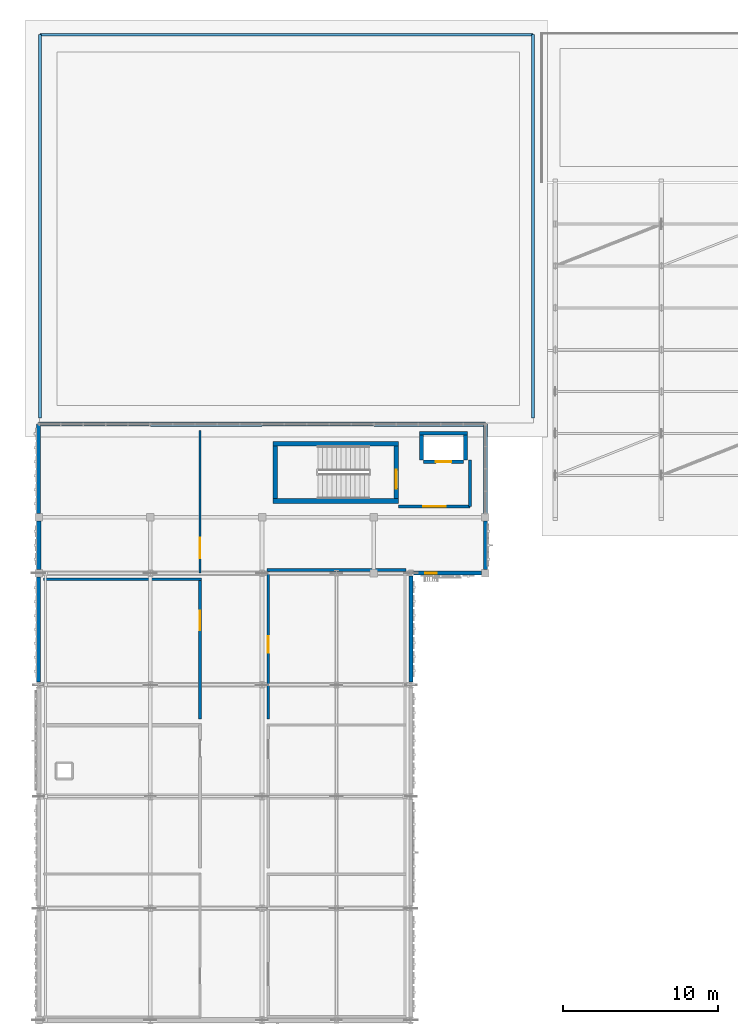
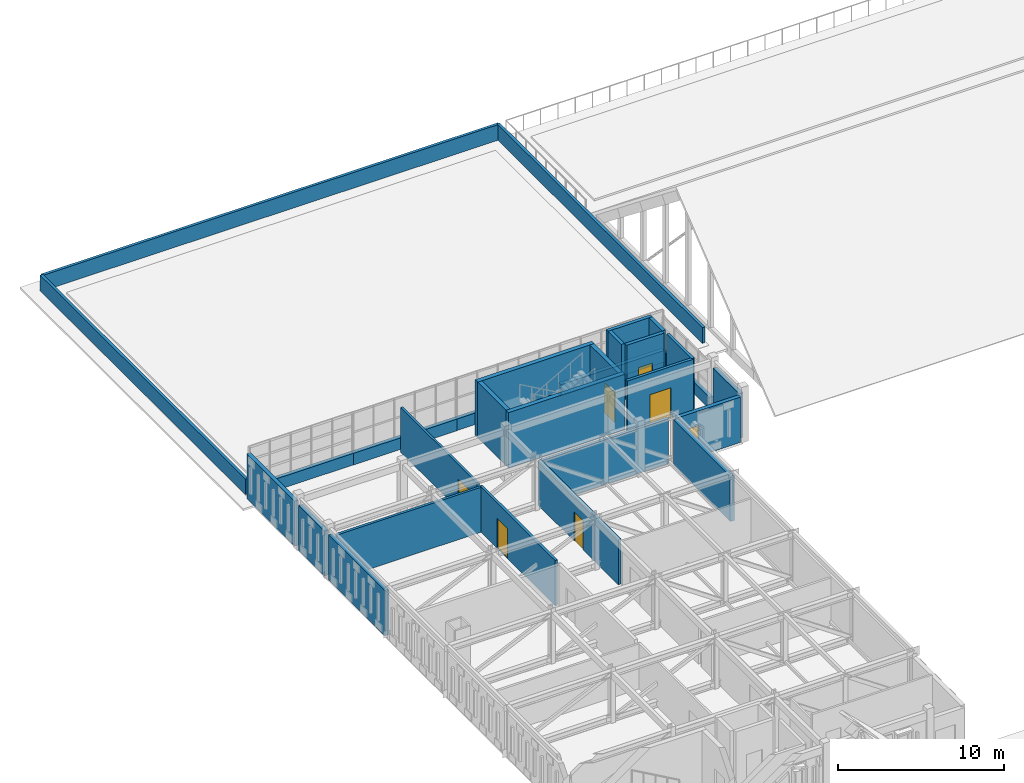
# One storey, part 49 of 79: 29 walls, 6 doors, 1 window, 7 openings.
"""IFC4 building model written with IfcOpenShell, lengths in metres."""

from ifc_helpers import new_model, si_unit, direction, frame, frame_2d, origin, place, context, subcontext, project, spatial, rectangle, extrude, material, layer, layer_set, type_object, element, fill, save


model = new_model("IFC4")

# Units and contexts
model_context = context("Model", 3, precision=1e-05, world=origin(), true_north=direction((0.0, 1.0)))
body_context = subcontext(model_context, "Body", "Model", "MODEL_VIEW")
ifc_project = project(units=[si_unit("LENGTHUNIT", "METRE"), si_unit("AREAUNIT", "SQUARE_METRE"), si_unit("VOLUMEUNIT", "CUBIC_METRE"), si_unit("PLANEANGLEUNIT", "RADIAN"), si_unit("MASSUNIT", "GRAM", prefix="KILO")], contexts=[model_context])

# Site, building, storey
site_placement = place(None, origin())
site = spatial("IfcSite", under=ifc_project, at=site_placement, CompositionType="ELEMENT")
building_placement = place(site_placement, origin())
building = spatial("IfcBuilding", under=site, at=building_placement, Name="Nzembalo Square Collegiate School", CompositionType="ELEMENT")
storey_placement = place(building_placement, frame((0.0, 0.0, 9.52001953125)))
storey = spatial("IfcBuildingStorey", under=building, at=storey_placement, Name="L02", CompositionType="ELEMENT", Elevation=9.52001953125)

# Walls
ifc_material_1 = material(Name="Concrete C40/50", Category="concrete")
ifc_layer_1 = layer(ifc_material_1, 0.300048828125, Name="Concrete C40/50")
ifc_layer_set_1 = layer_set([ifc_layer_1], Name="Concrete C40/50")
wall_type_1 = type_object("IfcWallType", Name="SW02", PredefinedType="SHEAR", material=ifc_layer_set_1)
wall_1_placement = place(storey_placement, frame((23.64990234375, 84.0, 0.0), z_axis=(0.0, 0.0, 1.0), x_axis=(0.0, 1.0, 0.0)))
element("IfcWall", 1, at=wall_1_placement, inside=storey, type_object=wall_type_1, Name="Core C2 stair shear wall W L02", PredefinedType="SHEAR", context=body_context, shape_type="SweptSolid", body=[
    extrude(rectangle(XDim=3.39990234375, YDim=0.300048828125, at=frame_2d((1.699951171875, 0.0))), origin(), (0.0, 0.0, 1.0), 4.080078125),
])
for number, where, z_axis, x_axis, name in (
    (2, (23.5, 83.85009765625, 0.0), (0.0, 0.0, 1.0), (1.0, 0.0, 0.0), "Core C2 stair shear wall S L02"),
    (3, (23.5, 87.550048828125, 0.0), (0.0, 0.0, 1.0), (1.0, 0.0, 0.0), "Core C2 stair shear wall N L02"),
):
    element("IfcWall", number, at=place(storey_placement, frame(where, z_axis=z_axis, x_axis=x_axis)), inside=storey, type_object=wall_type_1, Name=name, PredefinedType="SHEAR", context=body_context, shape_type="SweptSolid", body=[
        extrude(rectangle(XDim=8.10009765625, YDim=0.300048828125, at=frame_2d((4.050048828125, 0.0))), origin(), (0.0, 0.0, 1.0), 4.080078125),
    ])

# Wall, opening, door
wall_2_placement = place(storey_placement, frame((31.449951171875, 84.0, 0.0), z_axis=(0.0, 0.0, 1.0), x_axis=(0.0, 1.0, 0.0)))
wall_2 = element("IfcWall", 4, at=wall_2_placement, inside=storey, type_object=wall_type_1, Name="Core C2 stair shear wall E L02", PredefinedType="SHEAR", context=body_context, shape_type="SweptSolid", body=[
    extrude(rectangle(XDim=3.39990234375, YDim=0.300048828125, at=frame_2d((1.699951171875, 0.0))), origin(), (0.0, 0.0, 1.0), 4.080078125),
])
opening_1_placement = place(wall_2_placement, frame((0.64990234375, 0.0, 0.0)))
opening_1 = element("IfcOpeningElement", 5, at=opening_1_placement, cuts=wall_2, Name="Opening FD-017", PredefinedType="OPENING", context=body_context, shape_type="SweptSolid", body=[
    extrude(rectangle(XDim=1.199951171875, YDim=2.199951171875, at=frame_2d((0.60009765625, 1.10009765625))), frame((0.0, 0.16015625, 0.0), z_axis=(0.0, -1.0, 0.0), x_axis=(1.0, 0.0, 0.0)), (0.0, 0.0, 1.0), 0.320068359375),
])
ifc_material_2 = material(Name="Fire-rated steel acoustic door", Category="steel")
door_type_1 = type_object("IfcDoorType", Name="FD01", OperationType="NOTDEFINED", PredefinedType="DOOR", material=ifc_material_2)
door_1_placement = place(opening_1_placement, origin())
door_1 = element("IfcDoor", 6, at=door_1_placement, inside=storey, type_object=door_type_1, Name="Stair fire door FD-017", OperationType="SINGLE_SWING_LEFT", OverallHeight=2.199951171875, OverallWidth=1.199951171875, PredefinedType="DOOR", context=body_context, shape_type="SweptSolid", body=[
    extrude(rectangle(XDim=1.199951171875, YDim=2.199951171875, at=frame_2d((0.60009765625, 1.10009765625))), frame((0.0, 0.02490234375, 0.0), z_axis=(0.0, -1.0, 0.0), x_axis=(1.0, 0.0, 0.0)), (0.0, 0.0, 1.0), 0.050048828125),
])
fill(opening_1, door_1)

# Walls
ifc_material_3 = material(Name="Concrete C35/45", Category="concrete")
ifc_layer_2 = layer(ifc_material_3, 0.239990234375, Name="Concrete C35/45")
ifc_layer_set_2 = layer_set([ifc_layer_2], Name="Concrete C35/45")
wall_type_2 = type_object("IfcWallType", Name="SW06", PredefinedType="SHEAR", material=ifc_layer_set_2)
for number, where, z_axis, x_axis, name in (
    (7, (33.080078125, 86.5, 0.0), (0.0, 0.0, 1.0), (0.0, 1.0, 0.0), "Lift LF2 shaft wall W L02"),
    (8, (35.919921875, 86.5, 0.0), (0.0, 0.0, 1.0), (0.0, 1.0, 0.0), "Lift LF2 shaft wall E L02"),
):
    element("IfcWall", number, at=place(storey_placement, frame(where, z_axis=z_axis, x_axis=x_axis)), inside=storey, type_object=wall_type_2, Name=name, PredefinedType="SHEAR", context=body_context, shape_type="SweptSolid", body=[
        extrude(rectangle(XDim=1.60009765625, YDim=0.239990234375, at=frame_2d((0.800048828125, 0.0))), origin(), (0.0, 0.0, 1.0), 4.080078125),
    ])
wall_3_placement = place(storey_placement, frame((32.9599609375, 88.219970703125, 0.0), z_axis=(0.0, 0.0, 1.0), x_axis=(1.0, 0.0, 0.0)))
element("IfcWall", 9, at=wall_3_placement, inside=storey, type_object=wall_type_2, Name="Lift LF2 shaft wall N L02", PredefinedType="SHEAR", context=body_context, shape_type="SweptSolid", body=[
    extrude(rectangle(XDim=3.080078125, YDim=0.239990234375, at=frame_2d((1.5400390625, 0.0))), origin(), (0.0, 0.0, 1.0), 4.080078125),
])

# Wall, opening, door
wall_4_placement = place(storey_placement, frame((33.199951171875, 86.3798828125, 0.0), z_axis=(0.0, 0.0, 1.0), x_axis=(1.0, 0.0, 0.0)))
wall_4 = element("IfcWall", 10, at=wall_4_placement, inside=storey, type_object=wall_type_2, Name="Lift LF2 landing front wall L02", PredefinedType="SHEAR", context=body_context, shape_type="SweptSolid", body=[
    extrude(rectangle(XDim=2.60009765625, YDim=0.239990234375, at=frame_2d((1.300048828125, 0.0))), origin(), (0.0, 0.0, 1.0), 4.080078125),
])
opening_2_placement = place(wall_4_placement, frame((0.800048828125, 0.0, 0.0)))
opening_2 = element("IfcOpeningElement", 11, at=opening_2_placement, cuts=wall_4, Name="Opening LD-LF2-L02", PredefinedType="OPENING", context=body_context, shape_type="SweptSolid", body=[
    extrude(rectangle(XDim=1.0, YDim=2.14990234375, at=frame_2d((0.5, 1.074951171875))), frame((0.0, 0.1298828125, 0.0), z_axis=(0.0, -1.0, 0.0), x_axis=(1.0, 0.0, 0.0)), (0.0, 0.0, 1.0), 0.260009765625),
])
ifc_material_4 = material(Name="Stainless-steel sliding landing door", Category="steel")
door_type_2 = type_object("IfcDoorType", Name="LD02", OperationType="DOUBLE_DOOR_SLIDING", PredefinedType="DOOR", material=ifc_material_4)
door_2_placement = place(opening_2_placement, origin())
door_2 = element("IfcDoor", 12, at=door_2_placement, inside=storey, type_object=door_type_2, Name="Sliding lift landing door LD-LF2-L02", OperationType="DOUBLE_DOOR_SLIDING", OverallHeight=2.14990234375, OverallWidth=1.0, PredefinedType="DOOR", context=body_context, shape_type="SweptSolid", body=[
    extrude(rectangle(XDim=1.0, YDim=2.14990234375, at=frame_2d((0.5, 1.074951171875))), frame((0.0, 0.02490234375, 0.0), z_axis=(0.0, -1.0, 0.0), x_axis=(1.0, 0.0, 0.0)), (0.0, 0.0, 1.0), 0.050048828125),
])
fill(opening_2, door_2)

# Walls
ifc_material_5 = material(Name="Concrete C30/37", Category="concrete")
ifc_layer_3 = layer(ifc_material_5, 0.284912109375, Name="Concrete C30/37")
ifc_layer_set_3 = layer_set([ifc_layer_3], Name="Concrete C30/37")
wall_type_3 = type_object("IfcWallType", Name="W05", PredefinedType="SOLIDWALL", material=ifc_layer_set_3)
wall_5_placement = place(storey_placement, frame((8.39990234375, 79.44189453125, 0.0), z_axis=(0.0, 0.0, 1.0), x_axis=(0.0, 1.0, 0.0)))
element("IfcWall", 13, at=wall_5_placement, inside=storey, type_object=wall_type_3, Name="Exterior wall W05 L02", PredefinedType="SOLIDWALL", context=body_context, shape_type="SweptSolid", body=[
    extrude(rectangle(XDim=3.1162109375, YDim=0.284912109375, at=frame_2d((1.55810546875, 0.0))), origin(), (0.0, 0.0, 1.0), 3.299072265625),
])
for number, where, z_axis, x_axis, name in (
    (14, (15.60009765625, 88.800048828125, 0.0), (0.0, 0.0, 1.0), (1.0, 0.0, 0.0), "Spandrel wall W05 L02"),
    (15, (30.0, 88.800048828125, 0.0), (0.0, 0.0, 1.0), (1.0, 0.0, 0.0), "Spandrel wall W05 L02"),
):
    element("IfcWall", number, at=place(storey_placement, frame(where, z_axis=z_axis, x_axis=x_axis)), inside=storey, type_object=wall_type_3, Name=name, PredefinedType="SOLIDWALL", context=body_context, shape_type="SweptSolid", body=[
        extrude(rectangle(XDim=7.199951171875, YDim=0.284912109375, at=frame_2d((3.60009765625, 0.0))), origin(), (0.0, 0.0, 1.0), 0.85009765625),
    ])
wall_6_placement = place(storey_placement, frame((37.199951171875, 79.44189453125, 0.0), z_axis=(0.0, 0.0, 1.0), x_axis=(0.0, 1.0, 0.0)))
element("IfcWall", 16, at=wall_6_placement, inside=storey, type_object=wall_type_3, Name="Exterior wall W05 L02", PredefinedType="SOLIDWALL", context=body_context, shape_type="SweptSolid", body=[
    extrude(rectangle(XDim=3.1162109375, YDim=0.284912109375, at=frame_2d((1.55810546875, 0.0))), origin(), (0.0, 0.0, 1.0), 3.299072265625),
])
wall_7_placement = place(storey_placement, frame((32.39990234375, 72.177001953125, 0.0), z_axis=(0.0, 0.0, 1.0), x_axis=(0.0, 1.0, 0.0)))
element("IfcWall", 17, at=wall_7_placement, inside=storey, type_object=wall_type_3, Name="Exterior wall W05 L02", PredefinedType="SOLIDWALL", context=body_context, shape_type="SweptSolid", body=[
    extrude(rectangle(XDim=6.845947265625, YDim=0.284912109375, at=frame_2d((3.4228515625, 0.0))), origin(), (0.0, 0.0, 1.0), 3.3291015625),
])
ifc_material_6 = material(Name="Concrete C30/37", Category="concrete")
ifc_layer_4 = layer(ifc_material_6, 0.264892578125, Name="Concrete C30/37")
ifc_layer_set_4 = layer_set([ifc_layer_4], Name="Concrete C30/37")
wall_type_4 = type_object("IfcWallType", Name="W06", PredefinedType="SOLIDWALL", material=ifc_layer_set_4)
wall_8_placement = place(storey_placement, frame((8.39990234375, 72.177001953125, 0.0), z_axis=(0.0, 0.0, 1.0), x_axis=(0.0, 1.0, 0.0)))
element("IfcWall", 18, at=wall_8_placement, inside=storey, type_object=wall_type_4, Name="Exterior wall W06 L02", PredefinedType="SOLIDWALL", context=body_context, shape_type="SweptSolid", body=[
    extrude(rectangle(XDim=6.781005859375, YDim=0.264892578125, at=frame_2d((3.390625, 0.0))), origin(), (0.0, 0.0, 1.0), 3.3291015625),
])
wall_9_placement = place(storey_placement, frame((8.39990234375, 83.0419921875, 0.0), z_axis=(0.0, 0.0, 1.0), x_axis=(0.0, 1.0, 0.0)))
element("IfcWall", 19, at=wall_9_placement, inside=storey, type_object=wall_type_4, Name="Exterior wall W06 L02", PredefinedType="SOLIDWALL", context=body_context, shape_type="SweptSolid", body=[
    extrude(rectangle(XDim=5.758056640625, YDim=0.264892578125, at=frame_2d((2.87890625, 0.0))), origin(), (0.0, 0.0, 1.0), 3.299072265625),
])
wall_10_placement = place(storey_placement, frame((8.39990234375, 88.800048828125, 0.0), z_axis=(0.0, 0.0, 1.0), x_axis=(1.0, 0.0, 0.0)))
element("IfcWall", 20, at=wall_10_placement, inside=storey, type_object=wall_type_4, Name="Spandrel wall W06 L02", PredefinedType="SOLIDWALL", context=body_context, shape_type="SweptSolid", body=[
    extrude(rectangle(XDim=7.2001953125, YDim=0.264892578125, at=frame_2d((3.60009765625, 0.0))), origin(), (0.0, 0.0, 1.0), 0.85009765625),
])
wall_11_placement = place(storey_placement, frame((22.800048828125, 88.800048828125, 0.0), z_axis=(0.0, 0.0, 1.0), x_axis=(1.0, 0.0, 0.0)))
element("IfcWall", 21, at=wall_11_placement, inside=storey, type_object=wall_type_4, Name="Spandrel wall W06 L02", PredefinedType="SOLIDWALL", context=body_context, shape_type="SweptSolid", body=[
    extrude(rectangle(XDim=7.199951171875, YDim=0.264892578125, at=frame_2d((3.60009765625, 0.0))), origin(), (0.0, 0.0, 1.0), 0.85009765625),
])
wall_12_placement = place(storey_placement, frame((37.199951171875, 83.0419921875, 0.0), z_axis=(0.0, 0.0, 1.0), x_axis=(0.0, 1.0, 0.0)))
element("IfcWall", 22, at=wall_12_placement, inside=storey, type_object=wall_type_4, Name="Spandrel wall W06 L02", PredefinedType="SOLIDWALL", context=body_context, shape_type="SweptSolid", body=[
    extrude(rectangle(XDim=5.758056640625, YDim=0.264892578125, at=frame_2d((2.87890625, 0.0))), origin(), (0.0, 0.0, 1.0), 0.85009765625),
])

# Wall, opening, window
wall_13_placement = place(storey_placement, frame((32.552001953125, 79.199951171875, 0.0), z_axis=(0.0, 0.0, 1.0), x_axis=(1.0, 0.0, 0.0)))
wall_13 = element("IfcWall", 23, at=wall_13_placement, inside=storey, type_object=wall_type_4, Name="Exterior wall W06 L02", PredefinedType="SOLIDWALL", context=body_context, shape_type="SweptSolid", body=[
    extrude(rectangle(XDim=4.406005859375, YDim=0.264892578125, at=frame_2d((2.203125, 0.0))), origin(), (0.0, 0.0, 1.0), 3.3291015625),
])
opening_3_placement = place(wall_13_placement, frame((0.759033203125, 0.0, 0.75)))
opening_3 = element("IfcOpeningElement", 24, at=opening_3_placement, cuts=wall_13, Name="Opening WN-L02-522", PredefinedType="OPENING", context=body_context, shape_type="SweptSolid", body=[
    extrude(rectangle(XDim=0.75, YDim=1.5, at=frame_2d((0.375, 0.75))), frame((0.0, 0.142578125, 0.0), z_axis=(0.0, -1.0, 0.0), x_axis=(1.0, 0.0, 0.0)), (0.0, 0.0, 1.0), 0.284912109375),
])
ifc_material_7 = material(Name="Powder-coated aluminium and low-E double glazing", Category="aluminium")
window_type = type_object("IfcWindowType", Name="WN05", PartitioningType="SINGLE_PANEL", PredefinedType="WINDOW", material=ifc_material_7)
window_placement = place(opening_3_placement, origin())
window = element("IfcWindow", 25, at=window_placement, inside=storey, type_object=window_type, Name="Lancet window WN-L02-522", OverallHeight=1.5, OverallWidth=0.75, PartitioningType="SINGLE_PANEL", PredefinedType="WINDOW", context=body_context, shape_type="SweptSolid", body=[
    extrude(rectangle(XDim=0.75, YDim=1.5, at=frame_2d((0.375, 0.75))), frame((0.0, 0.030029296875, 0.0), z_axis=(0.0, -1.0, 0.0), x_axis=(1.0, 0.0, 0.0)), (0.0, 0.0, 1.0), 0.06005859375),
])
fill(opening_3, window)

# Wall
ifc_material_8 = material(Name="Concrete blockwork C25/30", Category="masonry")
ifc_layer_5 = layer(ifc_material_8, 0.199951171875, Name="Concrete blockwork C25/30")
ifc_layer_set_5 = layer_set([ifc_layer_5], Name="Concrete blockwork C25/30")
wall_type_5 = type_object("IfcWallType", Name="W11", PredefinedType="PARTITIONING", material=ifc_layer_set_5)
wall_14_placement = place(storey_placement, frame((36.199951171875, 83.5, 0.0), z_axis=(0.0, 0.0, 1.0), x_axis=(0.0, 1.0, 0.0)))
element("IfcWall", 26, at=wall_14_placement, inside=storey, type_object=wall_type_5, Name="Core C2 EI 60 lobby wall E L02", PredefinedType="PARTITIONING", context=body_context, shape_type="SweptSolid", body=[
    extrude(rectangle(XDim=3.0, YDim=0.199951171875, at=frame_2d((1.5, 0.0))), origin(), (0.0, 0.0, 1.0), 3.75390625),
])

# Wall, opening, door
wall_15_placement = place(storey_placement, frame((31.60009765625, 83.5, 0.0), z_axis=(0.0, 0.0, 1.0), x_axis=(1.0, 0.0, 0.0)))
wall_15 = element("IfcWall", 27, at=wall_15_placement, inside=storey, type_object=wall_type_5, Name="Core C2 EI 60 lobby wall S L02", PredefinedType="PARTITIONING", context=body_context, shape_type="SweptSolid", body=[
    extrude(rectangle(XDim=4.599853515625, YDim=0.199951171875, at=frame_2d((2.2998046875, 0.0))), origin(), (0.0, 0.0, 1.0), 3.75390625),
])
opening_4_placement = place(wall_15_placement, frame((1.574951171875, 0.0, 0.0)))
opening_4 = element("IfcOpeningElement", 28, at=opening_4_placement, cuts=wall_15, Name="Opening FD-018", PredefinedType="OPENING", context=body_context, shape_type="SweptSolid", body=[
    extrude(rectangle(XDim=1.449951171875, YDim=2.199951171875, at=frame_2d((0.72509765625, 1.10009765625))), frame((0.0, 0.10986328125, 0.0), z_axis=(0.0, -1.0, 0.0), x_axis=(1.0, 0.0, 0.0)), (0.0, 0.0, 1.0), 0.219970703125),
])
ifc_material_9 = material(Name="Fire-rated double lobby door")
door_type_3 = type_object("IfcDoorType", Name="FD02", OperationType="DOUBLE_DOOR_SINGLE_SWING", PredefinedType="DOOR", material=ifc_material_9)
door_3_placement = place(opening_4_placement, frame((1.449951171875, 0.0, 0.0), z_axis=(0.0, 0.0, 1.0), x_axis=(-1.0, 0.0, 0.0)))
door_3 = element("IfcDoor", 29, at=door_3_placement, inside=storey, type_object=door_type_3, Name="Protected lobby fire door FD-018", OperationType="DOUBLE_DOOR_SINGLE_SWING", OverallHeight=2.199951171875, OverallWidth=1.449951171875, PredefinedType="DOOR", context=body_context, shape_type="SweptSolid", body=[
    extrude(rectangle(XDim=1.449951171875, YDim=2.199951171875, at=frame_2d((0.72509765625, 1.10009765625))), frame((0.0, 0.02490234375, 0.0), z_axis=(0.0, -1.0, 0.0), x_axis=(1.0, 0.0, 0.0)), (0.0, 0.0, 1.0), 0.050048828125),
])
fill(opening_4, door_3)

# Wall
ifc_material_10 = material(Name="Acoustic gypsum and steel stud", Category="steel")
ifc_layer_6 = layer(ifc_material_10, 0.175048828125, Name="Acoustic gypsum and steel stud")
ifc_layer_set_6 = layer_set([ifc_layer_6], Name="Acoustic gypsum and steel stud")
wall_type_6 = type_object("IfcWallType", Name="W14", PredefinedType="PARTITIONING", material=ifc_layer_set_6)
wall_16_placement = place(storey_placement, frame((8.71240234375, 78.800048828125, 0.0), z_axis=(0.0, 0.0, 1.0), x_axis=(1.0, 0.0, 0.0)))
element("IfcWall", 30, at=wall_16_placement, inside=storey, type_object=wall_type_6, Name="Interior partition W14 L02-021-N", PredefinedType="PARTITIONING", context=body_context, shape_type="SweptSolid", body=[
    extrude(rectangle(XDim=10.175048828125, YDim=0.175048828125, at=frame_2d((5.08740234375, 0.0))), origin(), (0.0, 0.0, 1.0), 3.299072265625),
])

# Wall, opening, door
wall_17_placement = place(storey_placement, frame((18.800048828125, 69.800048828125, 0.0), z_axis=(0.0, 0.0, 1.0), x_axis=(0.0, 1.0, 0.0)))
wall_17 = element("IfcWall", 31, at=wall_17_placement, inside=storey, type_object=wall_type_6, Name="Interior partition W14 L02-021-E", PredefinedType="PARTITIONING", context=body_context, shape_type="SweptSolid", body=[
    extrude(rectangle(XDim=9.0, YDim=0.175048828125, at=frame_2d((4.5, 0.0))), origin(), (0.0, 0.0, 1.0), 3.3291015625),
])
opening_5_placement = place(wall_17_placement, frame((5.719970703125, 0.0, 0.0)))
opening_5 = element("IfcOpeningElement", 32, at=opening_5_placement, cuts=wall_17, Name="Opening D-L02-054", PredefinedType="OPENING", context=body_context, shape_type="SweptSolid", body=[
    extrude(rectangle(XDim=1.239990234375, YDim=2.199951171875, at=frame_2d((0.6201171875, 1.10009765625))), frame((0.0, 0.09765625, 0.0), z_axis=(0.0, -1.0, 0.0), x_axis=(1.0, 0.0, 0.0)), (0.0, 0.0, 1.0), 0.195068359375),
])
ifc_material_11 = material(Name="Glazed seminar room door")
door_type_4 = type_object("IfcDoorType", Name="D14", OperationType="NOTDEFINED", PredefinedType="DOOR", material=ifc_material_11)
door_4_placement = place(opening_5_placement, origin())
door_4 = element("IfcDoor", 33, at=door_4_placement, inside=storey, type_object=door_type_4, Name="Interior door D-L02-054 (Junior Mathematics Classroom 2C)", OperationType="SINGLE_SWING_LEFT", OverallHeight=2.199951171875, OverallWidth=1.239990234375, PredefinedType="DOOR", context=body_context, shape_type="SweptSolid", body=[
    extrude(rectangle(XDim=1.239990234375, YDim=2.199951171875, at=frame_2d((0.6201171875, 1.10009765625))), frame((0.0, 0.02490234375, 0.0), z_axis=(0.0, -1.0, 0.0), x_axis=(1.0, 0.0, 0.0)), (0.0, 0.0, 1.0), 0.050048828125),
])
fill(opening_5, door_4)

ifc_material_12 = material(Name="Acoustic double-board stud")
ifc_layer_7 = layer(ifc_material_12, 0.155029296875, Name="Acoustic double-board stud")
ifc_layer_set_7 = layer_set([ifc_layer_7], Name="Acoustic double-board stud")
wall_type_7 = type_object("IfcWallType", Name="W16", PredefinedType="PARTITIONING", material=ifc_layer_set_7)
wall_18_placement = place(storey_placement, frame((18.800048828125, 79.199951171875, 0.0), z_axis=(0.0, 0.0, 1.0), x_axis=(0.0, 1.0, 0.0)))
wall_18 = element("IfcWall", 34, at=wall_18_placement, inside=storey, type_object=wall_type_7, Name="Interior partition W16 L02-022-E", PredefinedType="PARTITIONING", context=body_context, shape_type="SweptSolid", body=[
    extrude(rectangle(XDim=9.199951171875, YDim=0.155029296875, at=frame_2d((4.60009765625, 0.0))), origin(), (0.0, 0.0, 1.0), 3.299072265625),
])
opening_6_placement = place(wall_18_placement, frame((0.947998046875, 0.0, 0.0)))
opening_6 = element("IfcOpeningElement", 35, at=opening_6_placement, cuts=wall_18, Name="Opening D-L02-055", PredefinedType="OPENING", context=body_context, shape_type="SweptSolid", body=[
    extrude(rectangle(XDim=1.320068359375, YDim=2.219970703125, at=frame_2d((0.66015625, 1.10986328125))), frame((0.0, 0.08740234375, 0.0), z_axis=(0.0, -1.0, 0.0), x_axis=(1.0, 0.0, 0.0)), (0.0, 0.0, 1.0), 0.175048828125),
])
ifc_material_13 = material(Name="Double-leaf studio acoustic door")
door_type_5 = type_object("IfcDoorType", Name="D04", OperationType="DOUBLE_DOOR_SINGLE_SWING", PredefinedType="DOOR", material=ifc_material_13)
door_5_placement = place(opening_6_placement, origin())
door_5 = element("IfcDoor", 36, at=door_5_placement, inside=storey, type_object=door_type_5, Name="Interior door D-L02-055 (Junior Language Studio 2D)", OperationType="DOUBLE_DOOR_SINGLE_SWING", OverallHeight=2.219970703125, OverallWidth=1.320068359375, PredefinedType="DOOR", context=body_context, shape_type="SweptSolid", body=[
    extrude(rectangle(XDim=1.320068359375, YDim=2.219970703125, at=frame_2d((0.66015625, 1.10986328125))), frame((0.0, 0.02490234375, 0.0), z_axis=(0.0, -1.0, 0.0), x_axis=(1.0, 0.0, 0.0)), (0.0, 0.0, 1.0), 0.050048828125),
])
fill(opening_6, door_5)

# Wall
ifc_material_14 = material(Name="High-mass acoustic blockwork", Category="masonry")
ifc_layer_8 = layer(ifc_material_14, 0.18505859375, Name="High-mass acoustic blockwork")
ifc_layer_set_8 = layer_set([ifc_layer_8], Name="High-mass acoustic blockwork")
wall_type_8 = type_object("IfcWallType", Name="W22", PredefinedType="PARTITIONING", material=ifc_layer_set_8)
wall_19_placement = place(storey_placement, frame((23.107421875, 79.39990234375, 0.0), z_axis=(0.0, 0.0, 1.0), x_axis=(1.0, 0.0, 0.0)))
element("IfcWall", 37, at=wall_19_placement, inside=storey, type_object=wall_type_8, Name="Interior partition W22 L02-025-N", PredefinedType="PARTITIONING", context=body_context, shape_type="SweptSolid", body=[
    extrude(rectangle(XDim=8.985107421875, YDim=0.18505859375, at=frame_2d((4.49267578125, 0.0))), origin(), (0.0, 0.0, 1.0), 3.299072265625),
])

# Wall, opening, door
wall_20_placement = place(storey_placement, frame((23.199951171875, 69.800048828125, 0.0), z_axis=(0.0, 0.0, 1.0), x_axis=(0.0, 1.0, 0.0)))
wall_20 = element("IfcWall", 38, at=wall_20_placement, inside=storey, type_object=wall_type_8, Name="Interior partition W22 L02-025-W", PredefinedType="PARTITIONING", context=body_context, shape_type="SweptSolid", body=[
    extrude(rectangle(XDim=9.599853515625, YDim=0.18505859375, at=frame_2d((4.7998046875, 0.0))), origin(), (0.0, 0.0, 1.0), 3.3291015625),
])
opening_7_placement = place(wall_20_placement, frame((4.27490234375, 0.0, 0.0)))
opening_7 = element("IfcOpeningElement", 39, at=opening_7_placement, cuts=wall_20, Name="Opening D-L02-058", PredefinedType="OPENING", context=body_context, shape_type="SweptSolid", body=[
    extrude(rectangle(XDim=1.050048828125, YDim=2.14990234375, at=frame_2d((0.52490234375, 1.074951171875))), frame((0.0, 0.1025390625, 0.0), z_axis=(0.0, -1.0, 0.0), x_axis=(1.0, 0.0, 0.0)), (0.0, 0.0, 1.0), 0.205078125),
])
ifc_material_15 = material(Name="Fire-rated steel store door", Category="steel")
door_type_6 = type_object("IfcDoorType", Name="FD03", OperationType="NOTDEFINED", PredefinedType="DOOR", material=ifc_material_15)
door_6_placement = place(opening_7_placement, origin())
door_6 = element("IfcDoor", 40, at=door_6_placement, inside=storey, type_object=door_type_6, Name="Interior door D-L02-058 (Junior Science Discovery Studio 2G)", OperationType="SINGLE_SWING_LEFT", OverallHeight=2.14990234375, OverallWidth=1.050048828125, PredefinedType="DOOR", context=body_context, shape_type="SweptSolid", body=[
    extrude(rectangle(XDim=1.050048828125, YDim=2.14990234375, at=frame_2d((0.52490234375, 1.074951171875))), frame((0.0, 0.02490234375, 0.0), z_axis=(0.0, -1.0, 0.0), x_axis=(1.0, 0.0, 0.0)), (0.0, 0.0, 1.0), 0.050048828125),
])
fill(opening_7, door_6)

# Walls
ifc_material_16 = material(Name="Concrete C30/37", Category="concrete")
ifc_layer_9 = layer(ifc_material_16, 0.18994140625, Name="Concrete C30/37")
ifc_layer_set_9 = layer_set([ifc_layer_9], Name="Concrete C30/37")
wall_type_9 = type_object("IfcWallType", Name="WP02", PredefinedType="PARAPET", material=ifc_layer_set_9)
wall_21_placement = place(storey_placement, frame((40.25, 89.199951171875, 0.0), z_axis=(0.0, 0.0, 1.0), x_axis=(0.0, 1.0, 0.0)))
element("IfcWall", 41, at=wall_21_placement, inside=storey, type_object=wall_type_9, Name="Roof parapet WP02-10", PredefinedType="PARAPET", context=body_context, shape_type="SweptSolid", body=[
    extrude(rectangle(XDim=24.699951171875, YDim=0.18994140625, at=frame_2d((12.35009765625, 0.0))), origin(), (0.0, 0.0, 1.0), 1.14990234375),
])
wall_22_placement = place(storey_placement, frame((40.25, 113.89990234375, 0.0), z_axis=(0.0, 0.0, 1.0), x_axis=(-1.0, 0.0, 0.0)))
element("IfcWall", 42, at=wall_22_placement, inside=storey, type_object=wall_type_9, Name="Roof parapet WP02-11", PredefinedType="PARAPET", context=body_context, shape_type="SweptSolid", body=[
    extrude(rectangle(XDim=31.75, YDim=0.18994140625, at=frame_2d((15.875, 0.0))), origin(), (0.0, 0.0, 1.0), 1.14990234375),
])
wall_23_placement = place(storey_placement, frame((8.5, 113.89990234375, 0.0), z_axis=(0.0, 0.0, 1.0), x_axis=(0.0, -1.0, 0.0)))
element("IfcWall", 43, at=wall_23_placement, inside=storey, type_object=wall_type_9, Name="Roof parapet WP02-12", PredefinedType="PARAPET", context=body_context, shape_type="SweptSolid", body=[
    extrude(rectangle(XDim=24.699951171875, YDim=0.18994140625, at=frame_2d((12.35009765625, 0.0))), origin(), (0.0, 0.0, 1.0), 1.14990234375),
])

save(model, "model.ifc")
